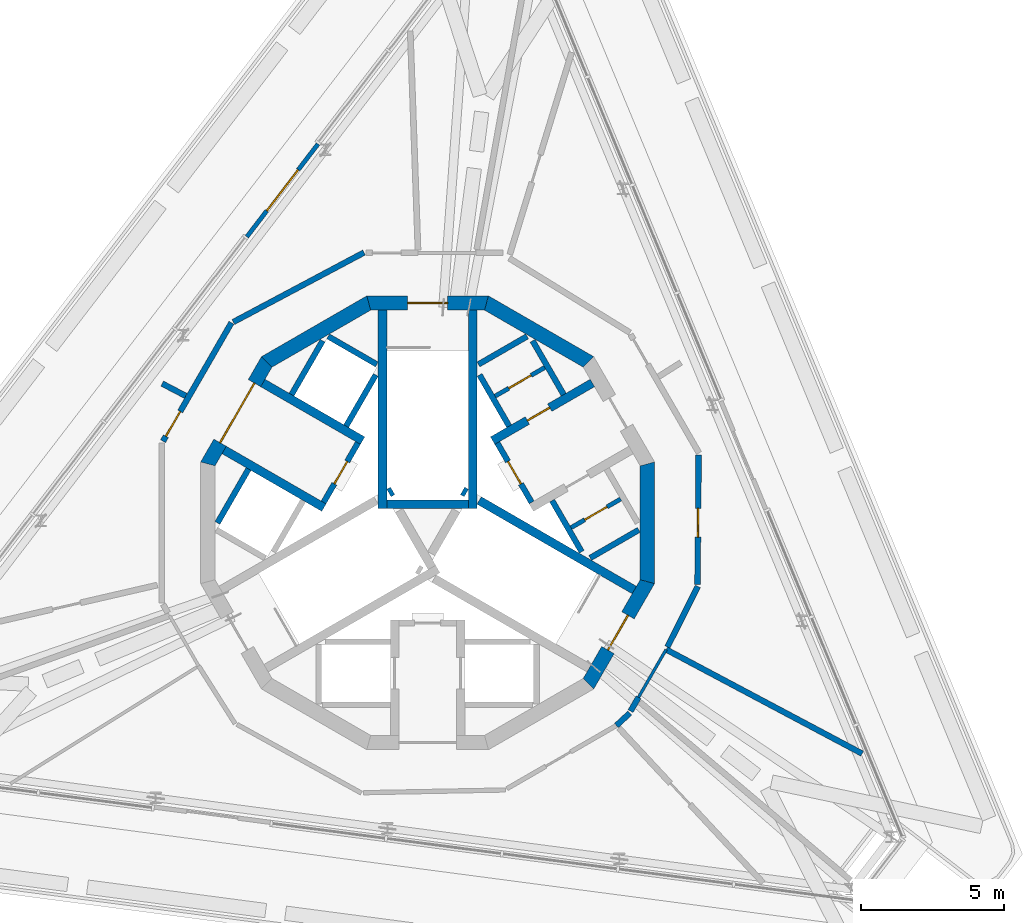
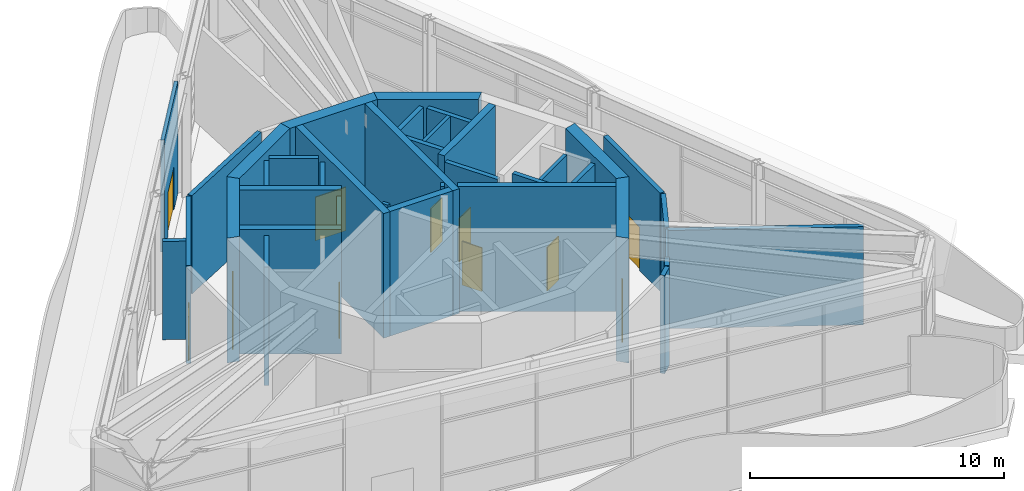
# One storey, part 8 of 10: 38 walls, 11 doors, 11 openings.
"""IFC4 building model written with IfcOpenShell, lengths in metres."""

from ifc_helpers import new_model, si_unit, direction, frame, frame_2d, origin, place, context, subcontext, project, spatial, polyline, rectangle, outline, extrude, material, layer, layer_set, type_object, element, fill, save


model = new_model("IFC4")

# Units and contexts
model_context = context("Model", 3, precision=1e-05, world=origin(), true_north=direction((0.0, 1.0)))
body_context = subcontext(model_context, "Body", "Model", "MODEL_VIEW")
ifc_project = project(units=[si_unit("LENGTHUNIT", "METRE"), si_unit("AREAUNIT", "SQUARE_METRE"), si_unit("VOLUMEUNIT", "CUBIC_METRE"), si_unit("PLANEANGLEUNIT", "RADIAN"), si_unit("MASSUNIT", "GRAM", prefix="KILO")], contexts=[model_context])

# Site, building, storey
site_placement = place(None, origin())
site = spatial("IfcSite", under=ifc_project, at=site_placement, CompositionType="ELEMENT")
building_placement = place(site_placement, origin())
building = spatial("IfcBuilding", under=site, at=building_placement, Name="Trine Commons Tower", CompositionType="ELEMENT")
storey_placement = place(building_placement, frame((0.0, 0.0, 300.60009765625)))
storey = spatial("IfcBuildingStorey", under=building, at=storey_placement, Name="CROWN", CompositionType="ELEMENT", Elevation=300.60009765625)

# Wall, opening, door
ifc_material_1 = material(Name="Plasterboard partition on steel studs", Category="steel")
ifc_layer_1 = layer(ifc_material_1, 0.14990234375)
ifc_layer_set_1 = layer_set([ifc_layer_1], Name="Plasterboard partition on steel studs")
wall_type_1 = type_object("IfcWallType", Name="Core room partition 150 mm, EI 60", PredefinedType="PARTITIONING", material=ifc_layer_set_1)
wall_1_placement = place(storey_placement, frame((82.35498046875, 66.919921875, 0.0), z_axis=(0.0, 0.0, 1.0), x_axis=(0.866010750942, 0.50002537861, 0.0)))
wall_1 = element("IfcWall", 1, at=wall_1_placement, inside=storey, type_object=wall_type_1, Name="Core room partition CROWN", PredefinedType="PARTITIONING", context=body_context, shape_type="SweptSolid", body=[
    extrude(rectangle(XDim=2.0, YDim=0.14990234375, at=frame_2d((1.0, 0.0))), origin(), (0.0, 0.0, 1.0), 5.699951171875),
])
opening_1_placement = place(wall_1_placement, frame((0.550537109375, 0.0, 0.0)))
opening_1 = element("IfcOpeningElement", 2, at=opening_1_placement, cuts=wall_1, Name="Opening K20.11", PredefinedType="OPENING", context=body_context, shape_type="SweptSolid", body=[
    extrude(rectangle(XDim=0.89990234375, YDim=2.10009765625, at=frame_2d((0.449951171875, 1.050048828125))), frame((0.0, 0.0849609375, 0.0), z_axis=(0.0, -1.0, 0.0), x_axis=(1.0, 0.0, 0.0)), (0.0, 0.0, 1.0), 0.169921875),
])
ifc_material_2 = material(Name="Steel door leaf, fire-rated", Category="steel")
door_type_1 = type_object("IfcDoorType", Name="Core room door, single leaf 900 x 2100, FD30S", OperationType="SINGLE_SWING_LEFT", PredefinedType="DOOR", material=ifc_material_2)
door_1_placement = place(opening_1_placement, origin())
door_1 = element("IfcDoor", 3, at=door_1_placement, inside=storey, type_object=door_type_1, Name="Door to Store CROWN", OperationType="SINGLE_SWING_RIGHT", OverallHeight=2.10009765625, OverallWidth=0.89990234375, PredefinedType="DOOR", context=body_context, shape_type="SweptSolid", body=[
    extrude(rectangle(XDim=0.89990234375, YDim=2.10009765625, at=frame_2d((0.449951171875, 1.050048828125))), frame((0.0, 0.02490234375, 0.0), z_axis=(0.0, -1.0, 0.0), x_axis=(1.0, 0.0, 0.0)), (0.0, 0.0, 1.0), 0.050048828125),
])
fill(opening_1, door_1)

wall_2_placement = place(storey_placement, frame((85.006103515625, 62.330078125, 0.0), z_axis=(0.0, 0.0, 1.0), x_axis=(0.866010750942, 0.50002537861, 0.0)))
wall_2 = element("IfcWall", 4, at=wall_2_placement, inside=storey, type_object=wall_type_1, Name="Core room partition CROWN", PredefinedType="PARTITIONING", context=body_context, shape_type="SweptSolid", body=[
    extrude(rectangle(XDim=2.0, YDim=0.14990234375, at=frame_2d((1.0, 0.0))), origin(), (0.0, 0.0, 1.0), 5.699951171875),
])
opening_2_placement = place(wall_2_placement, frame((0.549560546875, 0.0, 0.0)))
opening_2 = element("IfcOpeningElement", 5, at=opening_2_placement, cuts=wall_2, Name="Opening K20.13", PredefinedType="OPENING", context=body_context, shape_type="SweptSolid", body=[
    extrude(rectangle(XDim=0.89990234375, YDim=2.10009765625, at=frame_2d((0.449951171875, 1.050048828125))), frame((0.0, 0.0849609375, 0.0), z_axis=(0.0, -1.0, 0.0), x_axis=(1.0, 0.0, 0.0)), (0.0, 0.0, 1.0), 0.169921875),
])
door_2_placement = place(opening_2_placement, frame((0.89990234375, 0.0, 0.0), z_axis=(0.0, 0.0, 1.0), x_axis=(-1.0, 0.0, 0.0)))
door_2 = element("IfcDoor", 6, at=door_2_placement, inside=storey, type_object=door_type_1, Name="Door to Store CROWN", OperationType="SINGLE_SWING_LEFT", OverallHeight=2.10009765625, OverallWidth=0.89990234375, PredefinedType="DOOR", context=body_context, shape_type="SweptSolid", body=[
    extrude(rectangle(XDim=0.89990234375, YDim=2.10009765625, at=frame_2d((0.449951171875, 1.050048828125))), frame((0.0, 0.02490234375, 0.0), z_axis=(0.0, -1.0, 0.0), x_axis=(1.0, 0.0, 0.0)), (0.0, 0.0, 1.0), 0.050048828125),
])
fill(opening_2, door_2)

ifc_material_3 = material(Name="Plasterboard on steel stud", Category="steel")
ifc_layer_2 = layer(ifc_material_3, 0.199951171875)
ifc_layer_set_2 = layer_set([ifc_layer_2], Name="Plasterboard on steel stud")
wall_type_2 = type_object("IfcWallType", Name="Fire wall 200 mm, EI 120", PredefinedType="PARTITIONING", material=ifc_layer_set_2)
wall_3_placement = place(storey_placement, frame((70.76611328125, 65.347412109375, 0.0), z_axis=(0.0, 0.0, 1.0), x_axis=(0.499971769538, 0.866041702036, 0.0)))
wall_3 = element("IfcWall", 7, at=wall_3_placement, inside=storey, type_object=wall_type_2, Name="Partition CR006", PredefinedType="PARTITIONING", context=body_context, shape_type="SweptSolid", body=[
    extrude(rectangle(XDim=4.775146484375, YDim=0.199951171875, at=frame_2d((2.3876953125, 0.0))), origin(), (0.0, 0.0, 1.0), 4.722900390625),
])
opening_3_placement = place(wall_3_placement, frame((0.197998046875, 0.0, 0.0)))
opening_3 = element("IfcOpeningElement", 8, at=opening_3_placement, cuts=wall_3, Name="Opening D-CR02", PredefinedType="OPENING", context=body_context, shape_type="SweptSolid", body=[
    extrude(rectangle(XDim=1.0, YDim=2.10009765625, at=frame_2d((0.5, 1.050048828125))), frame((0.0, 0.10986328125, 0.0), z_axis=(0.0, -1.0, 0.0), x_axis=(1.0, 0.0, 0.0)), (0.0, 0.0, 1.0), 0.219970703125),
])
ifc_material_4 = material(Name="Timber fire door set", Category="wood")
door_type_2 = type_object("IfcDoorType", Name="Single swing door 1000x2100, FD60", OperationType="SINGLE_SWING_LEFT", PredefinedType="DOOR", material=ifc_material_4)
door_3_placement = place(opening_3_placement, origin())
door_3 = element("IfcDoor", 9, at=door_3_placement, inside=storey, type_object=door_type_2, Name="Door D-CR02", OperationType="SINGLE_SWING_LEFT", OverallHeight=2.10009765625, OverallWidth=1.0, PredefinedType="DOOR", context=body_context, shape_type="SweptSolid", body=[
    extrude(rectangle(XDim=1.0, YDim=2.10009765625, at=frame_2d((0.5, 1.050048828125))), frame((0.0, 0.02490234375, 0.0), z_axis=(0.0, -1.0, 0.0), x_axis=(1.0, 0.0, 0.0)), (0.0, 0.0, 1.0), 0.050048828125),
])
fill(opening_3, door_3)

# Walls
wall_4_placement = place(storey_placement, frame((70.736328125, 67.358642578125, 0.0), z_axis=(0.0, 0.0, 1.0), x_axis=(0.885687330222, -0.464282191221, 0.0)))
element("IfcWall", 10, at=wall_4_placement, inside=storey, type_object=wall_type_2, Name="Partition CR007", PredefinedType="PARTITIONING", context=body_context, shape_type="SweptSolid", body=[
    extrude(rectangle(XDim=0.92822265625, YDim=0.199951171875, at=frame_2d((0.464111328125, 0.0))), origin(), (0.0, 0.0, 1.0), 4.722900390625),
])
wall_5_placement = place(storey_placement, frame((73.219482421875, 69.507080078125, 0.0), z_axis=(0.0, 0.0, 1.0), x_axis=(0.882895319791, 0.469569860927, 0.0)))
element("IfcWall", 11, at=wall_5_placement, inside=storey, type_object=wall_type_2, Name="Partition CR011", PredefinedType="PARTITIONING", context=body_context, shape_type="SweptSolid", body=[
    extrude(rectangle(XDim=5.16552734375, YDim=0.199951171875, at=frame_2d((2.582763671875, 0.0))), origin(), (0.0, 0.0, 1.0), 4.722900390625),
])
wall_6_placement = place(storey_placement, frame((86.590087890625, 55.4267578125, 0.0), z_axis=(0.0, 0.0, 1.0), x_axis=(0.73352784827, 0.679659396913, 0.0)))
element("IfcWall", 12, at=wall_6_placement, inside=storey, type_object=wall_type_2, Name="Partition CR021", PredefinedType="PARTITIONING", context=body_context, shape_type="SweptSolid", body=[
    extrude(rectangle(XDim=0.638916015625, YDim=0.199951171875, at=frame_2d((0.3193359375, 0.0))), origin(), (0.0, 0.0, 1.0), 4.722900390625),
])
wall_7_placement = place(storey_placement, frame((87.0830078125, 55.9267578125, 0.0), z_axis=(0.0, 0.0, 1.0), x_axis=(0.499760304708, 0.866163747705, 0.0)))
element("IfcWall", 13, at=wall_7_placement, inside=storey, type_object=wall_type_2, Name="Partition CR023", PredefinedType="PARTITIONING", context=body_context, shape_type="SweptSolid", body=[
    extrude(rectangle(XDim=0.558349609375, YDim=0.199951171875, at=frame_2d((0.279296875, 0.0))), origin(), (0.0, 0.0, 1.0), 4.722900390625),
])
wall_8_placement = place(storey_placement, frame((88.36962890625, 58.1669921875, 0.0), z_axis=(0.0, 0.0, 1.0), x_axis=(0.449400426467, 0.893330429736, 0.0)))
element("IfcWall", 14, at=wall_8_placement, inside=storey, type_object=wall_type_2, Name="Partition CR028", PredefinedType="PARTITIONING", context=body_context, shape_type="SweptSolid", body=[
    extrude(rectangle(XDim=2.365234375, YDim=0.199951171875, at=frame_2d((1.1826171875, 0.0))), origin(), (0.0, 0.0, 1.0), 4.722900390625),
])
wall_9_placement = place(storey_placement, frame((88.32666015625, 58.076904296875, 0.0), z_axis=(0.0, 0.0, 1.0), x_axis=(0.883124293434, -0.469139086356, 0.0)))
element("IfcWall", 15, at=wall_9_placement, inside=storey, type_object=wall_type_2, Name="Partition CR029", PredefinedType="PARTITIONING", context=body_context, shape_type="SweptSolid", body=[
    extrude(rectangle(XDim=7.741943359375, YDim=0.199951171875, at=frame_2d((3.87109375, 0.0))), origin(), (0.0, 0.0, 1.0), 4.722900390625),
])

# Wall, opening, door
wall_10_placement = place(storey_placement, frame((89.45849609375, 64.86865234375, 0.0), z_axis=(0.0, 0.0, 1.0), x_axis=(-0.008372201569, -0.999964952506, 0.0)))
wall_10 = element("IfcWall", 16, at=wall_10_placement, inside=storey, type_object=wall_type_2, Name="Partition CR030", PredefinedType="PARTITIONING", context=body_context, shape_type="SweptSolid", body=[
    extrude(rectangle(XDim=4.52001953125, YDim=0.199951171875, at=frame_2d((2.260009765625, 0.0))), origin(), (0.0, 0.0, 1.0), 4.722900390625),
])
opening_4_placement = place(wall_10_placement, frame((1.868896484375, 0.0, 0.0)))
opening_4 = element("IfcOpeningElement", 17, at=opening_4_placement, cuts=wall_10, Name="Opening D-CR08", PredefinedType="OPENING", context=body_context, shape_type="SweptSolid", body=[
    extrude(rectangle(XDim=1.0, YDim=2.10009765625, at=frame_2d((0.5, 1.050048828125))), frame((0.0, 0.10986328125, 0.0), z_axis=(0.0, -1.0, 0.0), x_axis=(1.0, 0.0, 0.0)), (0.0, 0.0, 1.0), 0.219970703125),
])
door_4_placement = place(opening_4_placement, origin())
door_4 = element("IfcDoor", 18, at=door_4_placement, inside=storey, type_object=door_type_2, Name="Door D-CR08", OperationType="SINGLE_SWING_LEFT", OverallHeight=2.10009765625, OverallWidth=1.0, PredefinedType="DOOR", context=body_context, shape_type="SweptSolid", body=[
    extrude(rectangle(XDim=1.0, YDim=2.10009765625, at=frame_2d((0.5, 1.050048828125))), frame((0.0, 0.02490234375, 0.0), z_axis=(0.0, -1.0, 0.0), x_axis=(1.0, 0.0, 0.0)), (0.0, 0.0, 1.0), 0.050048828125),
])
fill(opening_4, door_4)

ifc_material_5 = material(Name="Fire-rated gypsum shaft wall system")
ifc_layer_3 = layer(ifc_material_5, 0.199951171875)
ifc_layer_set_3 = layer_set([ifc_layer_3], Name="Fire-rated gypsum shaft wall system")
wall_type_3 = type_object("IfcWallType", Name="Lobby end wall 200 mm, EI 120", PredefinedType="PARTITIONING", material=ifc_layer_set_3)
wall_11_placement = place(storey_placement, frame((77.569091796875, 65.2890625, 0.0), z_axis=(0.0, 0.0, 1.0), x_axis=(-0.50012165622, -0.865955154139, 0.0)))
wall_11 = element("IfcWall", 19, at=wall_11_placement, inside=storey, type_object=wall_type_3, Name="Lobby end wall CROWN", PredefinedType="PARTITIONING", context=body_context, shape_type="SweptSolid", body=[
    extrude(rectangle(XDim=2.39990234375, YDim=0.199951171875, at=frame_2d((1.199951171875, 0.0))), origin(), (0.0, 0.0, 1.0), 5.699951171875),
])
opening_5_placement = place(wall_11_placement, frame((0.749755859375, 0.0, 0.0)))
opening_5 = element("IfcOpeningElement", 20, at=opening_5_placement, cuts=wall_11, Name="Opening K20.07", PredefinedType="OPENING", context=body_context, shape_type="SweptSolid", body=[
    extrude(rectangle(XDim=0.89990234375, YDim=2.10009765625, at=frame_2d((0.449951171875, 1.050048828125))), frame((0.0, 0.10986328125, 0.0), z_axis=(0.0, -1.0, 0.0), x_axis=(1.0, 0.0, 0.0)), (0.0, 0.0, 1.0), 0.219970703125),
])
door_type_3 = type_object("IfcDoorType", Name="Riser access door, single leaf 900 x 2100, FD60", OperationType="SINGLE_SWING_LEFT", PredefinedType="DOOR", material=ifc_material_2)
door_5_placement = place(opening_5_placement, frame((0.89990234375, 0.0, 0.0), z_axis=(0.0, 0.0, 1.0), x_axis=(-1.0, 0.0, 0.0)))
door_5 = element("IfcDoor", 21, at=door_5_placement, inside=storey, type_object=door_type_3, Name="Riser door, Mechanical riser CROWN", OperationType="SINGLE_SWING_RIGHT", OverallHeight=2.10009765625, OverallWidth=0.89990234375, PredefinedType="DOOR", context=body_context, shape_type="SweptSolid", body=[
    extrude(rectangle(XDim=0.89990234375, YDim=2.10009765625, at=frame_2d((0.449951171875, 1.050048828125))), frame((0.0, 0.02490234375, 0.0), z_axis=(0.0, -1.0, 0.0), x_axis=(1.0, 0.0, 0.0)), (0.0, 0.0, 1.0), 0.050048828125),
])
fill(opening_5, door_5)

wall_12_placement = place(storey_placement, frame((83.631103515625, 63.2109375, 0.0), z_axis=(0.0, 0.0, 1.0), x_axis=(-0.50012165622, 0.865955154139, 0.0)))
wall_12 = element("IfcWall", 22, at=wall_12_placement, inside=storey, type_object=wall_type_3, Name="Lobby end wall CROWN", PredefinedType="PARTITIONING", context=body_context, shape_type="SweptSolid", body=[
    extrude(rectangle(XDim=2.39990234375, YDim=0.199951171875, at=frame_2d((1.199951171875, 0.0))), origin(), (0.0, 0.0, 1.0), 5.699951171875),
])
opening_6_placement = place(wall_12_placement, frame((0.749755859375, 0.0, 0.0)))
opening_6 = element("IfcOpeningElement", 23, at=opening_6_placement, cuts=wall_12, Name="Opening K20.05", PredefinedType="OPENING", context=body_context, shape_type="SweptSolid", body=[
    extrude(rectangle(XDim=0.89990234375, YDim=2.10009765625, at=frame_2d((0.449951171875, 1.050048828125))), frame((0.0, 0.10986328125, 0.0), z_axis=(0.0, -1.0, 0.0), x_axis=(1.0, 0.0, 0.0)), (0.0, 0.0, 1.0), 0.219970703125),
])
door_6_placement = place(opening_6_placement, frame((0.89990234375, 0.0, 0.0), z_axis=(0.0, 0.0, 1.0), x_axis=(-1.0, 0.0, 0.0)))
door_6 = element("IfcDoor", 24, at=door_6_placement, inside=storey, type_object=door_type_3, Name="Riser door, Electrical riser CROWN", OperationType="SINGLE_SWING_LEFT", OverallHeight=2.10009765625, OverallWidth=0.89990234375, PredefinedType="DOOR", context=body_context, shape_type="SweptSolid", body=[
    extrude(rectangle(XDim=0.89990234375, YDim=2.10009765625, at=frame_2d((0.449951171875, 1.050048828125))), frame((0.0, 0.02490234375, 0.0), z_axis=(0.0, -1.0, 0.0), x_axis=(1.0, 0.0, 0.0)), (0.0, 0.0, 1.0), 0.050048828125),
])
fill(opening_6, door_6)

# Wall
ifc_layer_4 = layer(ifc_material_3, 0.10009765625)
ifc_layer_set_4 = layer_set([ifc_layer_4], Name="Plasterboard on steel stud")
wall_type_4 = type_object("IfcWallType", Name="Partition wall 100 mm stud, not rated", PredefinedType="PARTITIONING", material=ifc_layer_set_4)
wall_13_placement = place(storey_placement, frame((87.31298828125, 56.325439453125, 0.0), z_axis=(0.0, 0.0, 1.0), x_axis=(0.499983806564, 0.866034752867, 0.0)))
element("IfcWall", 25, at=wall_13_placement, inside=storey, type_object=wall_type_4, Name="Partition CR025", PredefinedType="PARTITIONING", context=body_context, shape_type="SweptSolid", body=[
    extrude(rectangle(XDim=2.021484375, YDim=0.10009765625, at=frame_2d((1.0107421875, 0.0))), origin(), (0.0, 0.0, 1.0), 4.722900390625),
])

# Wall, opening, door
ifc_material_6 = material(Name="Aluminium-framed insulated wall panel", Category="aluminium")
ifc_layer_5 = layer(ifc_material_6, 0.14990234375)
ifc_layer_set_5 = layer_set([ifc_layer_5], Name="Aluminium-framed insulated wall panel")
wall_type_5 = type_object("IfcWallType", Name="Plant access wall 150, EI 60", PredefinedType="SOLIDWALL", material=ifc_layer_set_5)
wall_14_placement = place(storey_placement, frame((76.17626953125, 75.72119140625, 0.0), z_axis=(0.0, 0.0, 1.0), x_axis=(-0.60874172777, -0.793368457195, 0.0)))
wall_14 = element("IfcWall", 26, at=wall_14_placement, inside=storey, type_object=wall_type_5, Name="Plant access wall D5 3", PredefinedType="SOLIDWALL", context=body_context, shape_type="SweptSolid", body=[
    extrude(rectangle(XDim=4.080810546875, YDim=0.14990234375, at=frame_2d((2.04052734375, 0.0))), origin(), (0.0, 0.0, 1.0), 5.39990234375),
])
opening_7_placement = place(wall_14_placement, frame((1.140380859375, 0.0, 0.0)))
opening_7 = element("IfcOpeningElement", 27, at=opening_7_placement, cuts=wall_14, Name="Opening PD-D5-03", PredefinedType="OPENING", context=body_context, shape_type="SweptSolid", body=[
    extrude(rectangle(XDim=1.800048828125, YDim=2.10009765625, at=frame_2d((0.89990234375, 1.050048828125))), frame((0.0, 0.0849609375, 0.0), z_axis=(0.0, -1.0, 0.0), x_axis=(1.0, 0.0, 0.0)), (0.0, 0.0, 1.0), 0.169921875),
])
ifc_material_7 = material(Name="Powder-coated steel", Category="steel")
door_type_4 = type_object("IfcDoorType", Name="Steel double door 1800x2100, FD60", OperationType="DOUBLE_DOOR_DOUBLE_SWING", PredefinedType="DOOR", material=ifc_material_7)
door_7_placement = place(opening_7_placement, origin())
door_7 = element("IfcDoor", 28, at=door_7_placement, inside=storey, type_object=door_type_4, Name="Plant access door D5 3", OperationType="DOUBLE_DOOR_DOUBLE_SWING", OverallHeight=2.10009765625, OverallWidth=1.800048828125, PredefinedType="DOOR", context=body_context, shape_type="SweptSolid", body=[
    extrude(rectangle(XDim=1.800048828125, YDim=2.10009765625, at=frame_2d((0.89990234375, 1.050048828125))), frame((0.0, 0.02490234375, 0.0), z_axis=(0.0, -1.0, 0.0), x_axis=(1.0, 0.0, 0.0)), (0.0, 0.0, 1.0), 0.050048828125),
])
fill(opening_7, door_7)

# Walls
ifc_material_8 = material(Name="Concrete C50/60", Category="concrete")
ifc_layer_6 = layer(ifc_material_8, 0.300048828125)
ifc_layer_set_6 = layer_set([ifc_layer_6], Name="Concrete C50/60")
wall_type_6 = type_object("IfcWallType", Name="RC shear wall 300 mm, C50/60", PredefinedType="SHEAR", material=ifc_layer_set_6)
wall_15_placement = place(storey_placement, frame((76.381103515625, 63.031005859375, 0.0), z_axis=(0.0, 0.0, 1.0), x_axis=(-0.866071331441, 0.499920442526, 0.0)))
element("IfcWall", 29, at=wall_15_placement, inside=storey, type_object=wall_type_6, Name="Core cross wall SWD-01 CROWN", PredefinedType="SHEAR", context=body_context, shape_type="SweptSolid", body=[
    extrude(rectangle(XDim=4.020751953125, YDim=0.300048828125, at=frame_2d((2.01025390625, 0.0))), origin(), (0.0, 0.0, 1.0), 6.0),
])
wall_16_placement = place(storey_placement, frame((77.73095703125, 65.368896484375, 0.0), z_axis=(0.0, 0.0, 1.0), x_axis=(-0.866056154689, 0.499946734088, 0.0)))
element("IfcWall", 30, at=wall_16_placement, inside=storey, type_object=wall_type_6, Name="Core cross wall SWD-02 CROWN", PredefinedType="SHEAR", context=body_context, shape_type="SweptSolid", body=[
    extrude(rectangle(XDim=4.0205078125, YDim=0.300048828125, at=frame_2d((2.01025390625, 0.0))), origin(), (0.0, 0.0, 1.0), 6.0),
])

# Wall, opening, door
wall_17_placement = place(storey_placement, frame((82.26904296875, 65.368896484375, 0.0), z_axis=(0.0, 0.0, 1.0), x_axis=(0.866056154689, 0.499946734088, 0.0)))
wall_17 = element("IfcWall", 31, at=wall_17_placement, inside=storey, type_object=wall_type_6, Name="Core cross wall SWD-05 CROWN", PredefinedType="SHEAR", context=body_context, shape_type="SweptSolid", body=[
    extrude(rectangle(XDim=4.0205078125, YDim=0.300048828125, at=frame_2d((2.01025390625, 0.0))), origin(), (0.0, 0.0, 1.0), 6.0),
])
opening_8_placement = place(wall_17_placement, frame((1.400390625, 0.0, 0.0)))
opening_8 = element("IfcOpeningElement", 32, at=opening_8_placement, cuts=wall_17, Name="Opening K20.10", PredefinedType="OPENING", context=body_context, shape_type="SweptSolid", body=[
    extrude(rectangle(XDim=0.89990234375, YDim=2.10009765625, at=frame_2d((0.449951171875, 1.050048828125))), frame((0.0, 0.159912109375, 0.0), z_axis=(0.0, -1.0, 0.0), x_axis=(1.0, 0.0, 0.0)), (0.0, 0.0, 1.0), 0.320068359375),
])
door_8_placement = place(opening_8_placement, origin())
door_8 = element("IfcDoor", 33, at=door_8_placement, inside=storey, type_object=door_type_1, Name="Door to Store CROWN", OperationType="SINGLE_SWING_LEFT", OverallHeight=2.10009765625, OverallWidth=0.89990234375, PredefinedType="DOOR", context=body_context, shape_type="SweptSolid", body=[
    extrude(rectangle(XDim=0.89990234375, YDim=2.10009765625, at=frame_2d((0.449951171875, 1.050048828125))), frame((0.0, 0.02490234375, 0.0), z_axis=(0.0, -1.0, 0.0), x_axis=(1.0, 0.0, 0.0)), (0.0, 0.0, 1.0), 0.050048828125),
])
fill(opening_8, door_8)

# Walls
wall_18_placement = place(storey_placement, frame((78.425048828125, 63.0009765625, 0.0), z_axis=(0.0, 0.0, 1.0), x_axis=(0.0, 1.0, 0.0)))
element("IfcWall", 34, at=wall_18_placement, inside=storey, type_object=wall_type_6, Name="Core cross wall SWD-08 CROWN", PredefinedType="SHEAR", context=body_context, shape_type="SweptSolid", body=[
    extrude(rectangle(XDim=6.919921875, YDim=0.300048828125, at=frame_2d((3.4599609375, 0.0))), origin(), (0.0, 0.0, 1.0), 6.0),
])
for number, where, z_axis, x_axis, name in (
    (35, (78.779052734375, 63.614013671875, 0.0), (0.0, 0.0, 1.0), (-0.867737973955, -0.497021939713, 0.0), "Core cross wall SWD-09 CROWN"),
    (36, (81.220947265625, 63.614013671875, 0.0), (0.0, 0.0, 1.0), (0.867737973955, -0.497021939713, 0.0), "Core cross wall SWD-15 CROWN"),
):
    element("IfcWall", number, at=place(storey_placement, frame(where, z_axis=z_axis, x_axis=x_axis)), inside=storey, type_object=wall_type_6, Name=name, PredefinedType="SHEAR", context=body_context, shape_type="SweptSolid", body=[
        extrude(rectangle(XDim=0.14892578125, YDim=0.300048828125, at=frame_2d((0.074462890625, 0.0))), origin(), (0.0, 0.0, 1.0), 6.0),
    ])
wall_19_placement = place(storey_placement, frame((81.425048828125, 63.15087890625, 0.0), z_axis=(0.0, 0.0, 1.0), x_axis=(-1.0, 0.0, 0.0)))
element("IfcWall", 37, at=wall_19_placement, inside=storey, type_object=wall_type_6, Name="Core cross wall SWD-16 CROWN", PredefinedType="SHEAR", context=body_context, shape_type="SweptSolid", body=[
    extrude(rectangle(XDim=2.85009765625, YDim=0.300048828125, at=frame_2d((1.425048828125, 0.0))), origin(), (0.0, 0.0, 1.0), 6.0),
])
wall_20_placement = place(storey_placement, frame((81.574951171875, 63.0009765625, 0.0), z_axis=(0.0, 0.0, 1.0), x_axis=(0.0, 1.0, 0.0)))
element("IfcWall", 38, at=wall_20_placement, inside=storey, type_object=wall_type_6, Name="Core cross wall SWD-17 CROWN", PredefinedType="SHEAR", context=body_context, shape_type="SweptSolid", body=[
    extrude(rectangle(XDim=6.919921875, YDim=0.300048828125, at=frame_2d((3.4599609375, 0.0))), origin(), (0.0, 0.0, 1.0), 6.0),
])
wall_21_placement = place(storey_placement, frame((81.800048828125, 63.280029296875, 0.0), z_axis=(0.0, 0.0, 1.0), x_axis=(0.866013897511, -0.50001992892, 0.0)))
element("IfcWall", 39, at=wall_21_placement, inside=storey, type_object=wall_type_6, Name="Core cross wall SWD-18 CROWN", PredefinedType="SHEAR", context=body_context, shape_type="SweptSolid", body=[
    extrude(rectangle(XDim=6.251708984375, YDim=0.300048828125, at=frame_2d((3.1259765625, 0.0))), origin(), (0.0, 0.0, 1.0), 6.0),
])
ifc_layer_7 = layer(ifc_material_8, 0.5)
ifc_layer_set_7 = layer_set([ifc_layer_7], Name="Concrete C50/60")
wall_type_7 = type_object("IfcWallType", Name="RC shear wall 500 mm, C50/60", PredefinedType="SHEAR", material=ifc_layer_set_7)
for number, where, z_axis, x_axis, name in (
    (40, (87.670654296875, 60.377685546875, 0.0), (0.0, 0.0, 1.0), (0.0, 1.0, 0.0), "Core wall CWH-01 CROWN"),
    (41, (85.67333984375, 68.081787109375, 0.0), (0.0, 0.0, 1.0), (-0.866029463428, 0.499992968425, 0.0), "Core wall CWH-03 CROWN"),
):
    element("IfcWall", number, at=place(storey_placement, frame(where, z_axis=z_axis, x_axis=x_axis)), inside=storey, type_object=wall_type_7, Name=name, PredefinedType="SHEAR", context=body_context, shape_type="SweptSolid", body=[
        extrude(outline(polyline([(0.0, -0.25), (4.24462890625, -0.25), (4.110595703125, 0.25), (0.134033203125, 0.25), (0.0, -0.25)])), origin(), (0.0, 0.0, 1.0), 6.0),
    ])

# Wall, opening, door
wall_22_placement = place(storey_placement, frame((82.122314453125, 70.170654296875, 0.0), z_axis=(0.0, 0.0, 1.0), x_axis=(-1.0, 0.0, 0.0)))
wall_22 = element("IfcWall", 42, at=wall_22_placement, inside=storey, type_object=wall_type_7, Name="Core wall CWH-04 CROWN", PredefinedType="SHEAR", context=body_context, shape_type="SweptSolid", body=[
    extrude(outline(polyline([(0.0, -0.25), (4.24462890625, -0.25), (4.110595703125, 0.25), (0.134033203125, 0.25), (0.0, -0.25)])), origin(), (0.0, 0.0, 1.0), 6.0),
])
opening_9_placement = place(wall_22_placement, frame((1.42236328125, 0.0, 0.0)))
opening_9 = element("IfcOpeningElement", 43, at=opening_9_placement, cuts=wall_22, Name="Opening K20.01", PredefinedType="OPENING", context=body_context, shape_type="SweptSolid", body=[
    extrude(rectangle(XDim=1.39990234375, YDim=2.10009765625, at=frame_2d((0.699951171875, 1.050048828125))), frame((0.0, 0.260009765625, 0.0), z_axis=(0.0, -1.0, 0.0), x_axis=(1.0, 0.0, 0.0)), (0.0, 0.0, 1.0), 0.52001953125),
])
ifc_material_9 = material(Name="Steel door leaves, fire-rated", Category="steel")
door_type_5 = type_object("IfcDoorType", Name="Stair door, double leaf 1400 x 2100, FD90", OperationType="DOUBLE_DOOR_SINGLE_SWING", PredefinedType="DOOR", material=ifc_material_9)
door_9_placement = place(opening_9_placement, origin())
door_9 = element("IfcDoor", 44, at=door_9_placement, inside=storey, type_object=door_type_5, Name="Stair door to Exit stair ST1D CROWN", OperationType="DOUBLE_DOOR_SINGLE_SWING", OverallHeight=2.10009765625, OverallWidth=1.39990234375, PredefinedType="DOOR", context=body_context, shape_type="SweptSolid", body=[
    extrude(rectangle(XDim=1.39990234375, YDim=2.10009765625, at=frame_2d((0.699951171875, 1.050048828125))), frame((0.0, 0.02490234375, 0.0), z_axis=(0.0, -1.0, 0.0), x_axis=(1.0, 0.0, 0.0)), (0.0, 0.0, 1.0), 0.050048828125),
])
fill(opening_9, door_9)

# Wall
wall_23_placement = place(storey_placement, frame((78.002685546875, 70.2041015625, 0.0), z_axis=(0.0, 0.0, 1.0), x_axis=(-0.866029463428, -0.499992968425, 0.0)))
element("IfcWall", 45, at=wall_23_placement, inside=storey, type_object=wall_type_7, Name="Core wall CWH-05 CROWN", PredefinedType="SHEAR", context=body_context, shape_type="SweptSolid", body=[
    extrude(outline(polyline([(0.0, -0.25), (4.24462890625, -0.25), (4.110595703125, 0.25), (0.134033203125, 0.25), (0.0, -0.25)])), origin(), (0.0, 0.0, 1.0), 6.0),
])

# Wall, opening, door
wall_24_placement = place(storey_placement, frame((74.418212890625, 68.17333984375, 0.0), z_axis=(0.0, 0.0, 1.0), x_axis=(-0.499992968425, -0.866029463428, 0.0)))
wall_24 = element("IfcWall", 46, at=wall_24_placement, inside=storey, type_object=wall_type_7, Name="Core wall CWH-06 CROWN", PredefinedType="SHEAR", context=body_context, shape_type="SweptSolid", body=[
    extrude(outline(polyline([(0.0, -0.25), (4.24462890625, -0.25), (4.110595703125, 0.25), (0.134033203125, 0.25), (0.0, -0.25)])), origin(), (0.0, 0.0, 1.0), 6.0),
])
opening_10_placement = place(wall_24_placement, frame((0.92236328125, 0.0, 0.0)))
opening_10 = element("IfcOpeningElement", 47, at=opening_10_placement, cuts=wall_24, Name="Opening K20.06", PredefinedType="OPENING", context=body_context, shape_type="SweptSolid", body=[
    extrude(rectangle(XDim=2.39990234375, YDim=2.10009765625, at=frame_2d((1.199951171875, 1.050048828125))), frame((0.0, 0.260009765625, 0.0), z_axis=(0.0, -1.0, 0.0), x_axis=(1.0, 0.0, 0.0)), (0.0, 0.0, 1.0), 0.52001953125),
])
door_type_6 = type_object("IfcDoorType", Name="Lobby door, double leaf 2400 x 2100, FD60", OperationType="DOUBLE_DOOR_SINGLE_SWING", PredefinedType="DOOR", material=ifc_material_9)
door_10_placement = place(opening_10_placement, origin())
door_10 = element("IfcDoor", 48, at=door_10_placement, inside=storey, type_object=door_type_6, Name="Lobby door, Passenger lift lobby B CROWN", OperationType="DOUBLE_DOOR_SINGLE_SWING", OverallHeight=2.10009765625, OverallWidth=2.39990234375, PredefinedType="DOOR", context=body_context, shape_type="SweptSolid", body=[
    extrude(rectangle(XDim=2.39990234375, YDim=2.10009765625, at=frame_2d((1.199951171875, 1.050048828125))), frame((0.0, 0.02490234375, 0.0), z_axis=(0.0, -1.0, 0.0), x_axis=(1.0, 0.0, 0.0)), (0.0, 0.0, 1.0), 0.050048828125),
])
fill(opening_10, door_10)

wall_25_placement = place(storey_placement, frame((85.581787109375, 56.82666015625, 0.0), z_axis=(0.0, 0.0, 1.0), x_axis=(0.499992968425, 0.866029463428, 0.0)))
wall_25 = element("IfcWall", 49, at=wall_25_placement, inside=storey, type_object=wall_type_7, Name="Core wall CWH-12 CROWN", PredefinedType="SHEAR", context=body_context, shape_type="SweptSolid", body=[
    extrude(outline(polyline([(0.0, -0.25), (4.24462890625, -0.25), (4.110595703125, 0.25), (0.134033203125, 0.25), (0.0, -0.25)])), origin(), (0.0, 0.0, 1.0), 6.0),
])
opening_11_placement = place(wall_25_placement, frame((1.42236328125, 0.0, 0.0)))
opening_11 = element("IfcOpeningElement", 50, at=opening_11_placement, cuts=wall_25, Name="Opening K20.03", PredefinedType="OPENING", context=body_context, shape_type="SweptSolid", body=[
    extrude(rectangle(XDim=1.39990234375, YDim=2.10009765625, at=frame_2d((0.699951171875, 1.050048828125))), frame((0.0, 0.260009765625, 0.0), z_axis=(0.0, -1.0, 0.0), x_axis=(1.0, 0.0, 0.0)), (0.0, 0.0, 1.0), 0.52001953125),
])
door_11_placement = place(opening_11_placement, origin())
door_11 = element("IfcDoor", 51, at=door_11_placement, inside=storey, type_object=door_type_5, Name="Stair door to Exit stair ST3D CROWN", OperationType="DOUBLE_DOOR_SINGLE_SWING", OverallHeight=2.10009765625, OverallWidth=1.39990234375, PredefinedType="DOOR", context=body_context, shape_type="SweptSolid", body=[
    extrude(rectangle(XDim=1.39990234375, YDim=2.10009765625, at=frame_2d((0.699951171875, 1.050048828125))), frame((0.0, 0.02490234375, 0.0), z_axis=(0.0, -1.0, 0.0), x_axis=(1.0, 0.0, 0.0)), (0.0, 0.0, 1.0), 0.050048828125),
])
fill(opening_11, door_11)

# Walls
ifc_layer_8 = layer(ifc_material_5, 0.199951171875)
ifc_layer_set_8 = layer_set([ifc_layer_8], Name="Fire-rated gypsum shaft wall system")
wall_type_8 = type_object("IfcWallType", Name="Shaft wall 200 mm, EI 120", PredefinedType="PARTITIONING", material=ifc_layer_set_8)
wall_26_placement = place(storey_placement, frame((73.7509765625, 64.3759765625, 0.0), z_axis=(0.0, 0.0, 1.0), x_axis=(-0.499865263774, -0.866103179807, 0.0)))
element("IfcWall", 52, at=wall_26_placement, inside=storey, type_object=wall_type_8, Name="Shaft wall CROWN", PredefinedType="PARTITIONING", context=body_context, shape_type="SweptSolid", body=[
    extrude(rectangle(XDim=2.17041015625, YDim=0.199951171875, at=frame_2d((1.085205078125, 0.0))), origin(), (0.0, 0.0, 1.0), 5.699951171875),
])
wall_27_placement = place(storey_placement, frame((75.2509765625, 66.97412109375, 0.0), z_axis=(0.0, 0.0, 1.0), x_axis=(0.500060114735, 0.865990693744, 0.0)))
element("IfcWall", 53, at=wall_27_placement, inside=storey, type_object=wall_type_8, Name="Shaft wall CROWN", PredefinedType="PARTITIONING", context=body_context, shape_type="SweptSolid", body=[
    extrude(rectangle(XDim=2.169677734375, YDim=0.199951171875, at=frame_2d((1.0849609375, 0.0))), origin(), (0.0, 0.0, 1.0), 5.699951171875),
])
wall_28_placement = place(storey_placement, frame((77.156005859375, 65.8740234375, 0.0), z_axis=(0.0, 0.0, 1.0), x_axis=(0.499865770674, 0.866102887253, 0.0)))
element("IfcWall", 54, at=wall_28_placement, inside=storey, type_object=wall_type_8, Name="Shaft wall CROWN", PredefinedType="PARTITIONING", context=body_context, shape_type="SweptSolid", body=[
    extrude(rectangle(XDim=2.064453125, YDim=0.199951171875, at=frame_2d((1.0322265625, 0.0))), origin(), (0.0, 0.0, 1.0), 5.699951171875),
])
for number, where, z_axis, x_axis, name in (
    (55, (78.22509765625, 68.028076171875, 0.0), (0.0, 0.0, 1.0), (-0.866071410914, 0.499920304846, 0.0), "Shaft wall CROWN"),
    (56, (81.77490234375, 68.028076171875, 0.0), (0.0, 0.0, 1.0), (0.866071410914, 0.499920304846, 0.0), "Shaft wall CROWN"),
):
    element("IfcWall", number, at=place(storey_placement, frame(where, z_axis=z_axis, x_axis=x_axis)), inside=storey, type_object=wall_type_8, Name=name, PredefinedType="PARTITIONING", context=body_context, shape_type="SweptSolid", body=[
        extrude(rectangle(XDim=1.958251953125, YDim=0.199951171875, at=frame_2d((0.97900390625, 0.0))), origin(), (0.0, 0.0, 1.0), 5.699951171875),
    ])
wall_29_placement = place(storey_placement, frame((82.843994140625, 65.8740234375, 0.0), z_axis=(0.0, 0.0, 1.0), x_axis=(-0.499865770674, 0.866102887253, 0.0)))
element("IfcWall", 57, at=wall_29_placement, inside=storey, type_object=wall_type_8, Name="Shaft wall CROWN", PredefinedType="PARTITIONING", context=body_context, shape_type="SweptSolid", body=[
    extrude(rectangle(XDim=2.064453125, YDim=0.199951171875, at=frame_2d((1.0322265625, 0.0))), origin(), (0.0, 0.0, 1.0), 5.699951171875),
])
wall_30_placement = place(storey_placement, frame((84.343994140625, 63.27587890625, 0.0), z_axis=(0.0, 0.0, 1.0), x_axis=(0.500271688072, -0.86586848777, 0.0)))
element("IfcWall", 58, at=wall_30_placement, inside=storey, type_object=wall_type_8, Name="Shaft wall CROWN", PredefinedType="PARTITIONING", context=body_context, shape_type="SweptSolid", body=[
    extrude(rectangle(XDim=2.064697265625, YDim=0.199951171875, at=frame_2d((1.0322265625, 0.0))), origin(), (0.0, 0.0, 1.0), 5.699951171875),
])
wall_31_placement = place(storey_placement, frame((84.7490234375, 66.97412109375, 0.0), z_axis=(0.0, 0.0, 1.0), x_axis=(-0.500060114735, 0.865990693744, 0.0)))
element("IfcWall", 59, at=wall_31_placement, inside=storey, type_object=wall_type_8, Name="Shaft wall CROWN", PredefinedType="PARTITIONING", context=body_context, shape_type="SweptSolid", body=[
    extrude(rectangle(XDim=2.169677734375, YDim=0.199951171875, at=frame_2d((1.0849609375, 0.0))), origin(), (0.0, 0.0, 1.0), 5.699951171875),
])
wall_32_placement = place(storey_placement, frame((85.675048828125, 61.27294921875, 0.0), z_axis=(0.0, 0.0, 1.0), x_axis=(0.86585547495, 0.500294209939, 0.0)))
element("IfcWall", 60, at=wall_32_placement, inside=storey, type_object=wall_type_8, Name="Shaft wall CROWN", PredefinedType="PARTITIONING", context=body_context, shape_type="SweptSolid", body=[
    extrude(rectangle(XDim=1.958740234375, YDim=0.199951171875, at=frame_2d((0.9794921875, 0.0))), origin(), (0.0, 0.0, 1.0), 5.699951171875),
])

save(model, "model.ifc")
